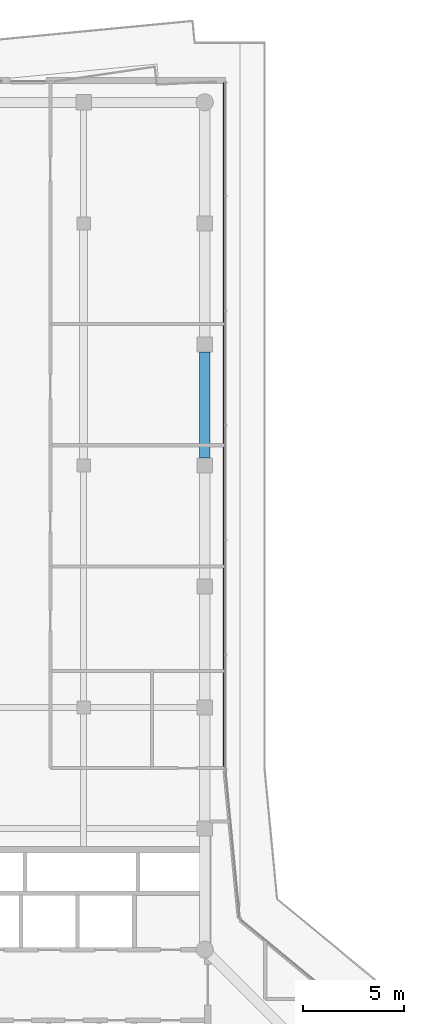
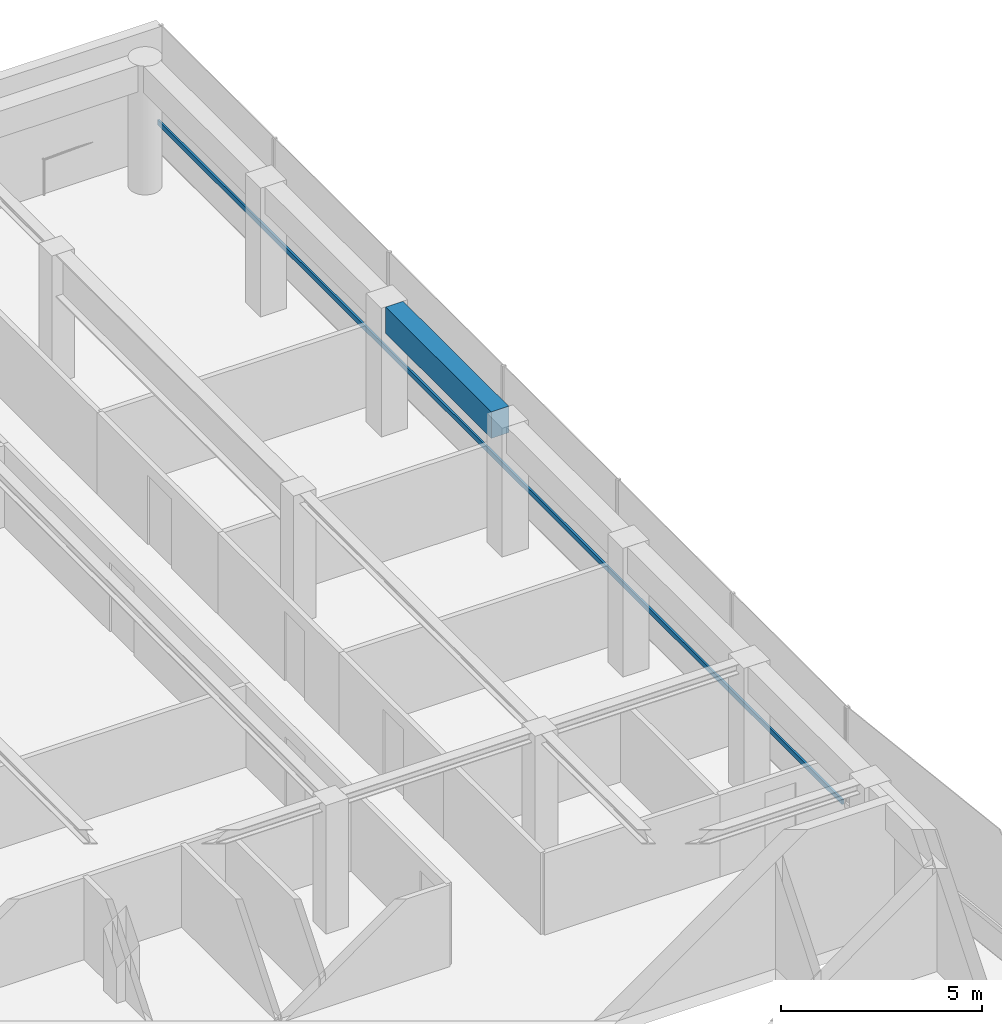
# One storey, part 14 of 22: 1 beam, 1 member, 1 element without a shape of its own.
"""IFC4 building model written with IfcOpenShell, lengths in metres."""

from ifc_helpers import new_model, si_unit, direction, frame, origin, origin_2d, place, context, subcontext, project, spatial, rectangle, extrude, material, layer, layer_set, material_profile, profile_set, type_object, element, aggregate, save


model = new_model("IFC4")

# Units and contexts
model_context = context("Model", 3, precision=1e-05, world=origin(), true_north=direction((0.0, 1.0)))
body_context = subcontext(model_context, "Body", "Model", "MODEL_VIEW")
ifc_project = project(units=[si_unit("LENGTHUNIT", "METRE"), si_unit("AREAUNIT", "SQUARE_METRE"), si_unit("VOLUMEUNIT", "CUBIC_METRE"), si_unit("PLANEANGLEUNIT", "RADIAN"), si_unit("MASSUNIT", "GRAM", prefix="KILO")], contexts=[model_context])

# Site, building, storey
site_placement = place(None, origin())
site = spatial("IfcSite", under=ifc_project, at=site_placement, CompositionType="ELEMENT")
building_placement = place(site_placement, origin())
building = spatial("IfcBuilding", under=site, at=building_placement, Name="Welwitschia Terrace Campus", CompositionType="ELEMENT")
storey_placement = place(building_placement, frame((0.0, 0.0, 310.39990234375)))
storey = spatial("IfcBuildingStorey", under=building, at=storey_placement, Name="L69", CompositionType="ELEMENT", Elevation=310.39990234375)

# Beam
ifc_material_1 = material(Name="Concrete C50/60", Category="concrete")
ifc_material_profile_1 = material_profile(ifc_material_1, rectangle(XDim=0.5, YDim=0.800048828125, at=origin_2d()))
ifc_profile_set_1 = profile_set([ifc_material_profile_1], Name="Concrete C50/60")
beam_type = type_object("IfcBeamType", Name="Ring spandrel 500x800", PredefinedType="SPANDREL", material=ifc_profile_set_1)
beam_placement = place(storey_placement, frame((24.0, 44.37548828125, 3.5), z_axis=(0.0, 1.0, 0.0), x_axis=(-1.0, 0.0, 0.0)))
element("IfcBeam", 1, at=beam_placement, inside=storey, type_object=beam_type, Name="Spandrel SP4", PredefinedType="SPANDREL", context=body_context, shape_type="SweptSolid", body=[
    extrude(rectangle(XDim=0.5, YDim=0.800048828125, at=origin_2d()), origin(), (0.0, 0.0, 1.0), 5.2490234375),
])

# Curtain wall, member
ifc_material_2 = material(Name="Bronze anodised aluminium", Category="aluminium")
ifc_layer = layer(ifc_material_2, 0.1201171875)
ifc_layer_set = layer_set([ifc_layer], Name="Bronze anodised aluminium")
curtain_wall_type = type_object("IfcCurtainWallType", Name="Curtain wall CW2 tower 6000", PredefinedType="NOTDEFINED", material=ifc_layer_set)
curtain_wall_placement = place(storey_placement, origin())
curtain_wall = element("IfcCurtainWall", 2, at=curtain_wall_placement, inside=storey, type_object=curtain_wall_type, Name="CW L69.7.0", PredefinedType="NOTDEFINED")
ifc_material_3 = material(Name="Bronze anodised aluminium", Category="aluminium")
ifc_material_profile_2 = material_profile(ifc_material_3, rectangle(XDim=0.06005859375, YDim=0.14990234375, at=origin_2d()))
ifc_profile_set_2 = profile_set([ifc_material_profile_2], Name="Bronze anodised aluminium")
member_type = type_object("IfcMemberType", Name="Transom 60x150", PredefinedType="USERDEFINED", material=ifc_profile_set_2)
member_placement = place(storey_placement, frame((24.93994140625, 28.979248046875, 1.0), z_axis=(0.0, 1.0, 0.0), x_axis=(-1.0, 0.0, 0.0)))
member = element("IfcMember", 3, at=member_placement, type_object=member_type, Name="Transom L69.7.0", ObjectType="TRANSOM", PredefinedType="USERDEFINED", context=body_context, shape_type="SweptSolid", body=[
    extrude(rectangle(XDim=0.06005859375, YDim=0.14990234375, at=origin_2d()), origin(), (0.0, 0.0, 1.0), 33.99072265625),
])
aggregate(curtain_wall, [member])

save(model, "model.ifc")
